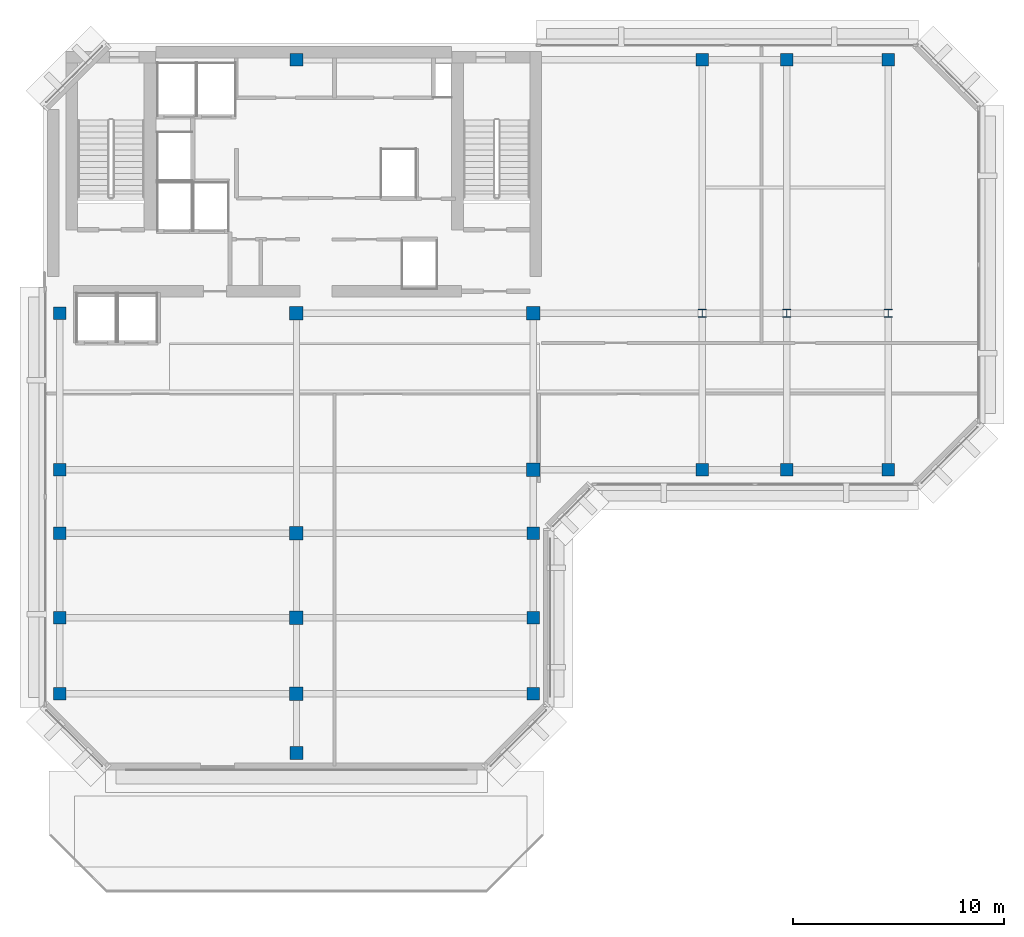
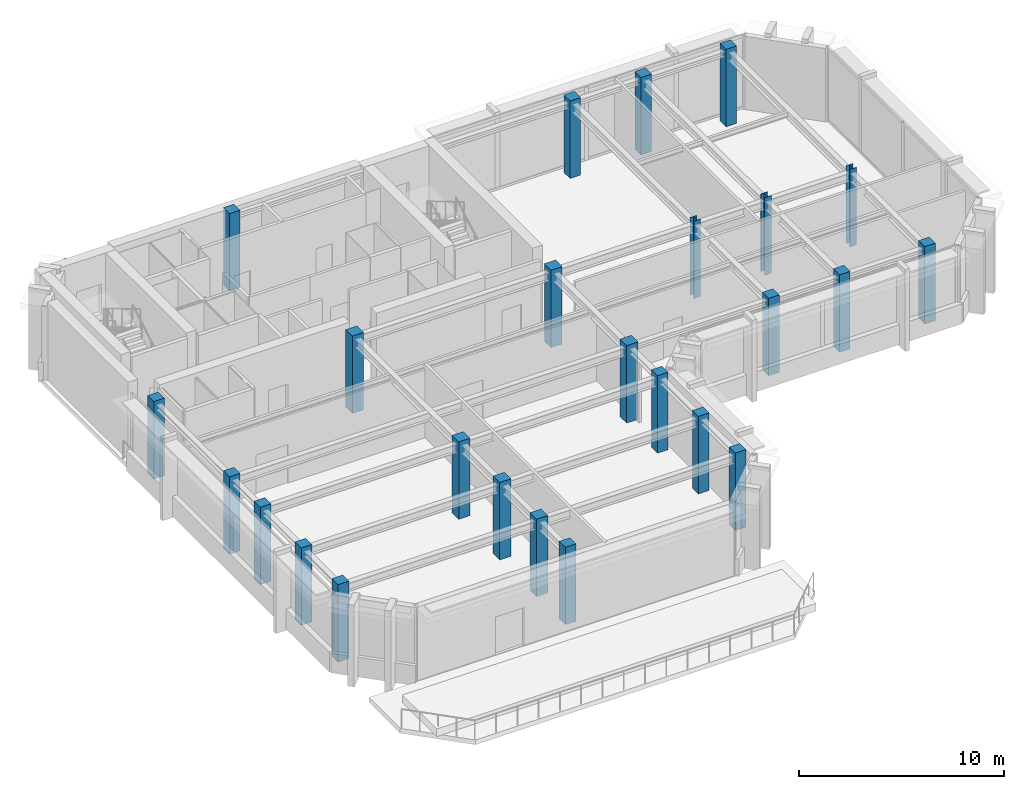
# One storey, part 1 of 11: 25 columns.
"""IFC4 building model written with IfcOpenShell, lengths in metres."""

from ifc_helpers import new_model, si_unit, direction, frame, origin, origin_2d, place, context, subcontext, project, spatial, rectangle, i_section, extrude, material, material_profile, profile_set, type_object, element, save


model = new_model("IFC4")

# Units and contexts
model_context = context("Model", 3, precision=1e-05, world=origin(), true_north=direction((0.0, 1.0)))
body_context = subcontext(model_context, "Body", "Model", "MODEL_VIEW")
ifc_project = project(units=[si_unit("LENGTHUNIT", "METRE"), si_unit("AREAUNIT", "SQUARE_METRE"), si_unit("VOLUMEUNIT", "CUBIC_METRE"), si_unit("PLANEANGLEUNIT", "RADIAN"), si_unit("MASSUNIT", "GRAM", prefix="KILO")], contexts=[model_context])

# Site, building, storey
site_placement = place(None, origin())
site = spatial("IfcSite", under=ifc_project, at=site_placement, CompositionType="ELEMENT")
building_placement = place(site_placement, origin())
building = spatial("IfcBuilding", under=site, at=building_placement, Name="Kefirva Bronze Tower", CompositionType="ELEMENT")
storey_placement = place(building_placement, frame((0.0, 0.0, 347.489990234375)))
storey = spatial("IfcBuildingStorey", under=building, at=storey_placement, Name="L85", CompositionType="ELEMENT", Elevation=347.489990234375)

# Columns
ifc_material_1 = material(Name="Concrete C50/60", Category="concrete")
ifc_material_profile_1 = material_profile(ifc_material_1, rectangle(XDim=0.60009765625, YDim=0.60009765625, at=origin_2d()), Name="RC 600x600")
ifc_profile_set_1 = profile_set([ifc_material_profile_1], Name="Concrete C50/60")
column_type_1 = type_object("IfcColumnType", Name="RC Column 600x600 Ext", PredefinedType="COLUMN", material=ifc_profile_set_1)
for number, where, z_axis, x_axis, name in (
    (1, (0.800048828125, 15.199951171875, 0.0), (0.0, 0.0, 1.0), (1.0, 0.0, 0.0), "L85 Column C008_152"),
    (2, (0.800048828125, 18.800048828125, 0.0), (0.0, 0.0, 1.0), (1.0, 0.0, 0.0), "L85 Column C008_188"),
    (3, (0.800048828125, 22.800048828125, 0.0), (0.0, 0.0, 1.0), (1.0, 0.0, 0.0), "L85 Column C008_228"),
    (4, (0.800048828125, 25.800048828125, 0.0), (0.0, 0.0, 1.0), (1.0, 0.0, 0.0), "L85 Column C008_258"),
    (5, (0.800048828125, 33.199951171875, 0.0), (0.0, 0.0, 1.0), (1.0, 0.0, 0.0), "L85 Column C008_332"),
    (6, (12.0, 12.39990234375, 0.0), (0.0, 0.0, 1.0), (1.0, 0.0, 0.0), "L85 Column C120_124"),
    (7, (12.0, 45.199951171875, 0.0), (0.0, 0.0, 1.0), (1.0, 0.0, 0.0), "L85 Column C120_452"),
    (8, (23.199951171875, 15.199951171875, 0.0), (0.0, 0.0, 1.0), (1.0, 0.0, 0.0), "L85 Column C232_152"),
    (9, (23.199951171875, 18.800048828125, 0.0), (0.0, 0.0, 1.0), (1.0, 0.0, 0.0), "L85 Column C232_188"),
    (10, (23.199951171875, 22.800048828125, 0.0), (0.0, 0.0, 1.0), (1.0, 0.0, 0.0), "L85 Column C232_228"),
    (11, (31.199951171875, 25.800048828125, 0.0), (0.0, 0.0, 1.0), (1.0, 0.0, 0.0), "L85 Column C312_258"),
    (12, (31.199951171875, 45.199951171875, 0.0), (0.0, 0.0, 1.0), (1.0, 0.0, 0.0), "L85 Column C312_452"),
    (13, (35.199951171875, 25.800048828125, 0.0), (0.0, 0.0, 1.0), (1.0, 0.0, 0.0), "L85 Column C352_258"),
    (14, (35.199951171875, 45.199951171875, 0.0), (0.0, 0.0, 1.0), (1.0, 0.0, 0.0), "L85 Column C352_452"),
    (15, (40.0, 25.800048828125, 0.0), (0.0, 0.0, 1.0), (1.0, 0.0, 0.0), "L85 Column C400_258"),
    (16, (40.0, 45.199951171875, 0.0), (0.0, 0.0, 1.0), (1.0, 0.0, 0.0), "L85 Column C400_452"),
):
    element("IfcColumn", number, at=place(storey_placement, frame(where, z_axis=z_axis, x_axis=x_axis)), inside=storey, type_object=column_type_1, Name=name, PredefinedType="COLUMN", context=body_context, shape_type="SweptSolid", body=[
        extrude(rectangle(XDim=0.60009765625, YDim=0.60009765625, at=origin_2d()), origin(), (0.0, 0.0, 1.0), 4.6201171875),
    ])
ifc_material_profile_2 = material_profile(ifc_material_1, rectangle(XDim=0.639892578125, YDim=0.639892578125, at=origin_2d()), Name="RC 640x640")
ifc_profile_set_2 = profile_set([ifc_material_profile_2], Name="Concrete C50/60")
column_type_2 = type_object("IfcColumnType", Name="RC Column 640x640 Int", PredefinedType="COLUMN", material=ifc_profile_set_2)
for number, where, z_axis, x_axis, name in (
    (17, (12.0, 15.199951171875, 0.0), (0.0, 0.0, 1.0), (1.0, 0.0, 0.0), "L85 Column C120_152"),
    (18, (12.0, 18.800048828125, 0.0), (0.0, 0.0, 1.0), (1.0, 0.0, 0.0), "L85 Column C120_188"),
    (19, (12.0, 22.800048828125, 0.0), (0.0, 0.0, 1.0), (1.0, 0.0, 0.0), "L85 Column C120_228"),
    (20, (12.0, 33.199951171875, 0.0), (0.0, 0.0, 1.0), (1.0, 0.0, 0.0), "L85 Column C120_332"),
    (21, (23.199951171875, 25.800048828125, 0.0), (0.0, 0.0, 1.0), (1.0, 0.0, 0.0), "L85 Column C232_258"),
    (22, (23.199951171875, 33.199951171875, 0.0), (0.0, 0.0, 1.0), (1.0, 0.0, 0.0), "L85 Column C232_332"),
):
    element("IfcColumn", number, at=place(storey_placement, frame(where, z_axis=z_axis, x_axis=x_axis)), inside=storey, type_object=column_type_2, Name=name, PredefinedType="COLUMN", context=body_context, shape_type="SweptSolid", body=[
        extrude(rectangle(XDim=0.639892578125, YDim=0.639892578125, at=origin_2d()), origin(), (0.0, 0.0, 1.0), 4.6201171875),
    ])
ifc_material_2 = material(Name="Steel S460", Category="steel")
ifc_material_profile_3 = material_profile(ifc_material_2, i_section(OverallWidth=0.376953125, OverallDepth=0.386962890625, WebThickness=0.01611328125, FlangeThickness=0.027099609375, at=origin_2d()), Name="HD 360x262")
ifc_profile_set_3 = profile_set([ifc_material_profile_3], Name="Steel S460")
column_type_3 = type_object("IfcColumnType", Name="Steel Column HD 360x262", PredefinedType="COLUMN", material=ifc_profile_set_3)
for number, where, z_axis, x_axis, name in (
    (23, (31.199951171875, 33.199951171875, 0.0), (0.0, 0.0, 1.0), (1.0, 0.0, 0.0), "L85 Column C312_332"),
    (24, (35.199951171875, 33.199951171875, 0.0), (0.0, 0.0, 1.0), (1.0, 0.0, 0.0), "L85 Column C352_332"),
    (25, (40.0, 33.199951171875, 0.0), (0.0, 0.0, 1.0), (1.0, 0.0, 0.0), "L85 Column C400_332"),
):
    element("IfcColumn", number, at=place(storey_placement, frame(where, z_axis=z_axis, x_axis=x_axis)), inside=storey, type_object=column_type_3, Name=name, PredefinedType="COLUMN", context=body_context, shape_type="SweptSolid", body=[
        extrude(i_section(OverallWidth=0.376953125, OverallDepth=0.386962890625, WebThickness=0.01611328125, FlangeThickness=0.027099609375, at=origin_2d()), origin(), (0.0, 0.0, 1.0), 4.6201171875),
    ])

save(model, "model.ifc")
